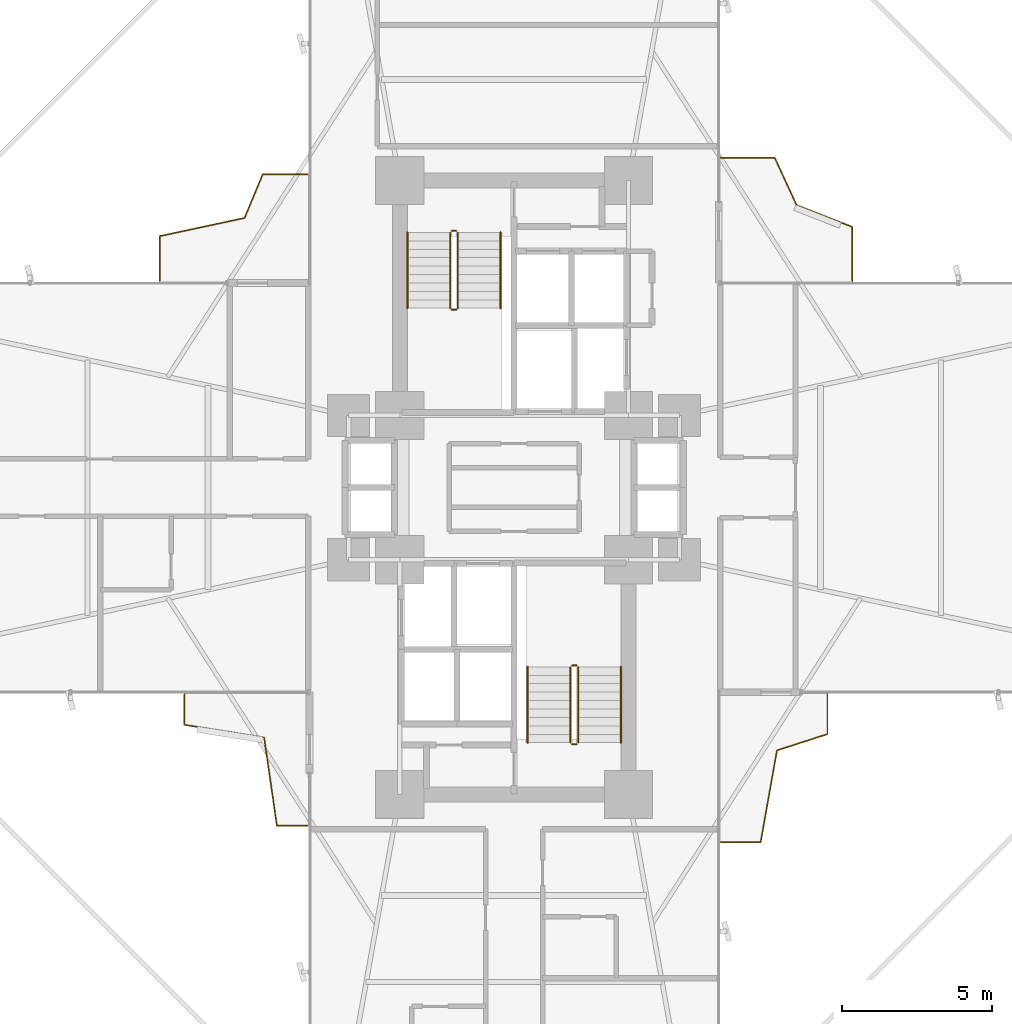
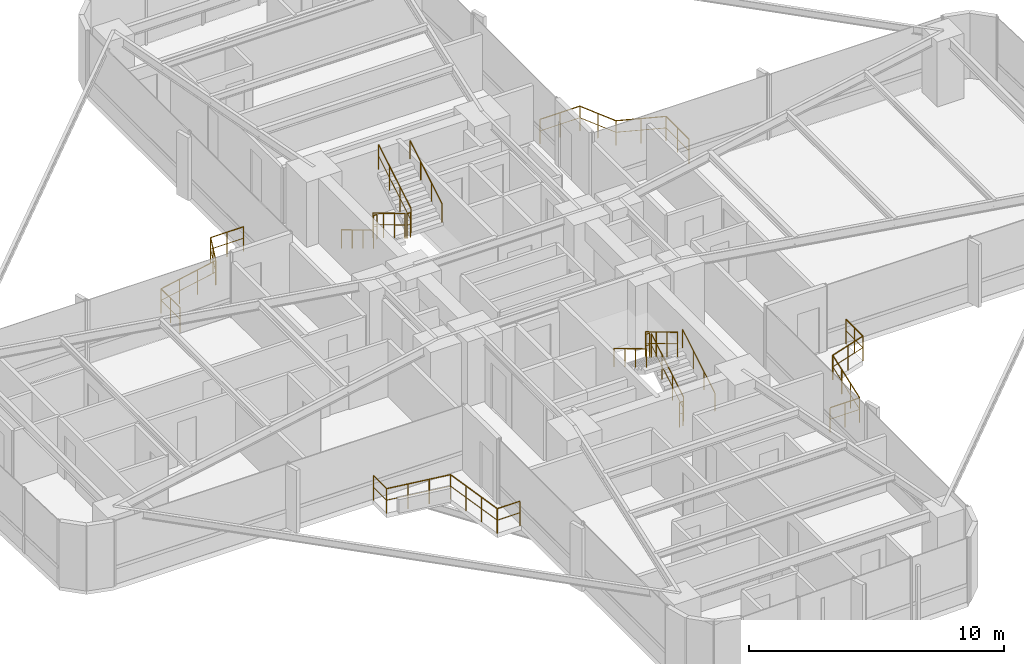
# One storey, part 25 of 25: 16 railings.
"""IFC4 building model written with IfcOpenShell, lengths in metres."""

from ifc_helpers import new_model, si_unit, direction, frame, origin, origin_2d, place, context, subcontext, project, spatial, circle, extrude, material, type_object, element, save


model = new_model("IFC4")

# Units and contexts
model_context = context("Model", 3, precision=1e-05, world=origin(), true_north=direction((0.0, 1.0)))
body_context = subcontext(model_context, "Body", "Model", "MODEL_VIEW")
ifc_project = project(units=[si_unit("LENGTHUNIT", "METRE"), si_unit("AREAUNIT", "SQUARE_METRE"), si_unit("VOLUMEUNIT", "CUBIC_METRE"), si_unit("PLANEANGLEUNIT", "RADIAN"), si_unit("MASSUNIT", "GRAM", prefix="KILO")], contexts=[model_context])

# Site, building, storey
site_placement = place(None, origin())
site = spatial("IfcSite", under=ifc_project, at=site_placement, CompositionType="ELEMENT")
building_placement = place(site_placement, origin())
building = spatial("IfcBuilding", under=site, at=building_placement, Name="Sahyath Konkavel Grand Hotel", CompositionType="ELEMENT")
storey_placement = place(building_placement, frame((0.0, 0.0, 67.800048828125)))
storey = spatial("IfcBuildingStorey", under=building, at=storey_placement, Name="L18", CompositionType="ELEMENT", Elevation=67.800048828125)

# Railings
ifc_material_1 = material(Name="Anodised Bronze Aluminium", Category="aluminium")
railing_type_1 = type_object("IfcRailingType", Name="RLG-BALC-1200", PredefinedType="GUARDRAIL", material=ifc_material_1)
railing_1_placement = place(storey_placement, frame((11.241943359375, 6.860107421875, 0.0)))
element("IfcRailing", 1, at=railing_1_placement, inside=storey, type_object=railing_type_1, Name="L18 Winter-Garden Guard NE", PredefinedType="GUARDRAIL", context=body_context, shape_type="SweptSolid", body=[
    extrude(circle(Radius=0.02392578125, at=origin_2d()), frame((0.0, 0.001953125, 1.17578125), z_axis=(0.0, 1.0, 0.0), x_axis=(-1.0, 0.0, 0.0)), (0.0, 0.0, 1.0), 1.800048828125),
    extrude(circle(Radius=0.01416015625, at=origin_2d()), frame((0.0, 0.001953125, 0.6240234375), z_axis=(0.0, 1.0, 0.0), x_axis=(-1.0, 0.0, 0.0)), (0.0, 0.0, 1.0), 1.800048828125),
    extrude(circle(Radius=0.02392578125, at=origin_2d()), frame((-0.001953125, 1.8046875, 1.17578125), z_axis=(-0.931284410784, 0.364292940134, 0.0), x_axis=(-0.364292940134, -0.931284410784, 0.0)), (0.0, 0.0, 1.0), 1.98583984375),
    extrude(circle(Radius=0.01416015625, at=origin_2d()), frame((-0.001953125, 1.8046875, 0.6240234375), z_axis=(-0.931284410784, 0.364292940134, 0.0), x_axis=(-0.364292940134, -0.931284410784, 0.0)), (0.0, 0.0, 1.0), 1.98583984375),
    extrude(circle(Radius=0.02392578125, at=origin_2d()), frame((-1.853759765625, 2.530517578125, 1.17578125), z_axis=(-0.419371658884, 0.907814635113, 0.0), x_axis=(-0.907814635113, -0.419371658884, 0.0)), (0.0, 0.0, 1.0), 1.724365234375),
    extrude(circle(Radius=0.01416015625, at=origin_2d()), frame((-1.853759765625, 2.530517578125, 0.6240234375), z_axis=(-0.419371658884, 0.907814635113, 0.0), x_axis=(-0.907814635113, -0.419371658884, 0.0)), (0.0, 0.0, 1.0), 1.724365234375),
    extrude(circle(Radius=0.02392578125, at=origin_2d()), frame((-2.579833984375, 4.097900390625, 1.17578125), z_axis=(-1.0, 0.0, 0.0), x_axis=(0.0, -1.0, 0.0)), (0.0, 0.0, 1.0), 1.800048828125),
    extrude(circle(Radius=0.01416015625, at=origin_2d()), frame((-2.579833984375, 4.097900390625, 0.6240234375), z_axis=(-1.0, 0.0, 0.0), x_axis=(0.0, -1.0, 0.0)), (0.0, 0.0, 1.0), 1.800048828125),
    extrude(circle(Radius=0.02099609375, at=origin_2d()), origin(), (0.0, 0.0, 1.0), 1.15185546875),
    extrude(circle(Radius=0.02099609375, at=origin_2d()), frame((0.0, 0.90185546875, 0.0)), (0.0, 0.0, 1.0), 1.15185546875),
    extrude(circle(Radius=0.02099609375, at=origin_2d()), frame((0.0, 1.803955078125, 0.0)), (0.0, 0.0, 1.0), 1.15185546875),
    extrude(circle(Radius=0.02099609375, at=origin_2d()), frame((-0.926513671875, 2.16650390625, 0.0)), (0.0, 0.0, 1.0), 1.15185546875),
    extrude(circle(Radius=0.02099609375, at=origin_2d()), frame((-1.85302734375, 2.52880859375, 0.0)), (0.0, 0.0, 1.0), 1.15185546875),
    extrude(circle(Radius=0.02099609375, at=origin_2d()), frame((-2.21533203125, 3.3134765625, 0.0)), (0.0, 0.0, 1.0), 1.15185546875),
    extrude(circle(Radius=0.02099609375, at=origin_2d()), frame((-2.577880859375, 4.097900390625, 0.0)), (0.0, 0.0, 1.0), 1.15185546875),
    extrude(circle(Radius=0.02099609375, at=origin_2d()), frame((-3.47998046875, 4.097900390625, 0.0)), (0.0, 0.0, 1.0), 1.15185546875),
    extrude(circle(Radius=0.02099609375, at=origin_2d()), frame((-4.3818359375, 4.097900390625, 0.0)), (0.0, 0.0, 1.0), 1.15185546875),
])
railing_2_placement = place(storey_placement, frame((-6.860107421875, 10.4150390625, 0.0)))
element("IfcRailing", 2, at=railing_2_placement, inside=storey, type_object=railing_type_1, Name="L18 Winter-Garden Guard NW", PredefinedType="GUARDRAIL", context=body_context, shape_type="SweptSolid", body=[
    extrude(circle(Radius=0.02392578125, at=origin_2d()), frame((-0.001953125, 0.0, 1.17578125), z_axis=(-1.0, 0.0, 0.0), x_axis=(0.0, -1.0, 0.0)), (0.0, 0.0, 1.0), 1.49267578125),
    extrude(circle(Radius=0.01416015625, at=origin_2d()), frame((-0.001953125, 0.0, 0.6240234375), z_axis=(-1.0, 0.0, 0.0), x_axis=(0.0, -1.0, 0.0)), (0.0, 0.0, 1.0), 1.49267578125),
    extrude(circle(Radius=0.02392578125, at=origin_2d()), frame((-1.497314453125, -0.001953125, 1.17578125), z_axis=(-0.384483227785, -0.923131977321, 0.0), x_axis=(0.923131977321, -0.384483227785, 0.0)), (0.0, 0.0, 1.0), 1.570068359375),
    extrude(circle(Radius=0.01416015625, at=origin_2d()), frame((-1.497314453125, -0.001953125, 0.6240234375), z_axis=(-0.384483227785, -0.923131977321, 0.0), x_axis=(0.923131977321, -0.384483227785, 0.0)), (0.0, 0.0, 1.0), 1.570068359375),
    extrude(circle(Radius=0.02392578125, at=origin_2d()), frame((-2.103759765625, -1.45361328125, 1.17578125), z_axis=(-0.977781371968, -0.209627261187, 0.0), x_axis=(0.209627261187, -0.977781371968, 0.0)), (0.0, 0.0, 1.0), 2.883056640625),
    extrude(circle(Radius=0.01416015625, at=origin_2d()), frame((-2.103759765625, -1.45361328125, 0.6240234375), z_axis=(-0.977781371968, -0.209627261187, 0.0), x_axis=(0.209627261187, -0.977781371968, 0.0)), (0.0, 0.0, 1.0), 2.883056640625),
    extrude(circle(Radius=0.02392578125, at=origin_2d()), frame((-4.9248046875, -2.060302734375, 1.17578125), z_axis=(0.0, -1.0, 0.0), x_axis=(1.0, 0.0, 0.0)), (0.0, 0.0, 1.0), 1.49267578125),
    extrude(circle(Radius=0.01416015625, at=origin_2d()), frame((-4.9248046875, -2.060302734375, 0.6240234375), z_axis=(0.0, -1.0, 0.0), x_axis=(1.0, 0.0, 0.0)), (0.0, 0.0, 1.0), 1.49267578125),
    extrude(circle(Radius=0.02099609375, at=origin_2d()), origin(), (0.0, 0.0, 1.0), 1.15185546875),
    extrude(circle(Radius=0.02099609375, at=origin_2d()), frame((-0.748291015625, 0.0, 0.0)), (0.0, 0.0, 1.0), 1.15185546875),
    extrude(circle(Radius=0.02099609375, at=origin_2d()), frame((-1.49658203125, 0.0, 0.0)), (0.0, 0.0, 1.0), 1.15185546875),
    extrude(circle(Radius=0.02099609375, at=origin_2d()), frame((-1.79931640625, -0.7265625, 0.0)), (0.0, 0.0, 1.0), 1.15185546875),
    extrude(circle(Radius=0.02099609375, at=origin_2d()), frame((-2.101806640625, -1.453125, 0.0)), (0.0, 0.0, 1.0), 1.15185546875),
    extrude(circle(Radius=0.02099609375, at=origin_2d()), frame((-3.042724609375, -1.65478515625, 0.0)), (0.0, 0.0, 1.0), 1.15185546875),
    extrude(circle(Radius=0.02099609375, at=origin_2d()), frame((-3.98388671875, -1.856689453125, 0.0)), (0.0, 0.0, 1.0), 1.15185546875),
    extrude(circle(Radius=0.02099609375, at=origin_2d()), frame((-4.9248046875, -2.058349609375, 0.0)), (0.0, 0.0, 1.0), 1.15185546875),
    extrude(circle(Radius=0.02099609375, at=origin_2d()), frame((-4.9248046875, -2.806640625, 0.0)), (0.0, 0.0, 1.0), 1.15185546875),
    extrude(circle(Radius=0.02099609375, at=origin_2d()), frame((-4.9248046875, -3.554931640625, 0.0)), (0.0, 0.0, 1.0), 1.15185546875),
])
railing_3_placement = place(storey_placement, frame((-10.9580078125, -6.860107421875, 0.0)))
element("IfcRailing", 3, at=railing_3_placement, inside=storey, type_object=railing_type_1, Name="L18 Winter-Garden Guard SW", PredefinedType="GUARDRAIL", context=body_context, shape_type="SweptSolid", body=[
    extrude(circle(Radius=0.02392578125, at=origin_2d()), frame((0.0, -0.001953125, 1.17578125), z_axis=(0.0, -1.0, 0.0), x_axis=(1.0, 0.0, 0.0)), (0.0, 0.0, 1.0), 1.02392578125),
    extrude(circle(Radius=0.01416015625, at=origin_2d()), frame((0.0, -0.001953125, 0.6240234375), z_axis=(0.0, -1.0, 0.0), x_axis=(1.0, 0.0, 0.0)), (0.0, 0.0, 1.0), 1.02392578125),
    extrude(circle(Radius=0.02392578125, at=origin_2d()), frame((0.001953125, -1.028076171875, 1.17578125), z_axis=(0.987465059065, -0.157837755706, 0.0), x_axis=(0.157837755706, 0.987465059065, 0.0)), (0.0, 0.0, 1.0), 2.676513671875),
    extrude(circle(Radius=0.01416015625, at=origin_2d()), frame((0.001953125, -1.028076171875, 0.6240234375), z_axis=(0.987465059065, -0.157837755706, 0.0), x_axis=(0.157837755706, 0.987465059065, 0.0)), (0.0, 0.0, 1.0), 2.676513671875),
    extrude(circle(Radius=0.02392578125, at=origin_2d()), frame((2.647216796875, -1.452880859375, 1.17578125), z_axis=(0.142875516446, -0.989740666438, 0.0), x_axis=(0.989740666438, 0.142875516446, 0.0)), (0.0, 0.0, 1.0), 2.957275390625),
    extrude(circle(Radius=0.01416015625, at=origin_2d()), frame((2.647216796875, -1.452880859375, 0.6240234375), z_axis=(0.142875516446, -0.989740666438, 0.0), x_axis=(0.989740666438, 0.142875516446, 0.0)), (0.0, 0.0, 1.0), 2.957275390625),
    extrude(circle(Radius=0.02392578125, at=origin_2d()), frame((3.072021484375, -4.3818359375, 1.17578125), z_axis=(1.0, 0.0, 0.0), x_axis=(0.0, 1.0, 0.0)), (0.0, 0.0, 1.0), 1.02392578125),
    extrude(circle(Radius=0.01416015625, at=origin_2d()), frame((3.072021484375, -4.3818359375, 0.6240234375), z_axis=(1.0, 0.0, 0.0), x_axis=(0.0, 1.0, 0.0)), (0.0, 0.0, 1.0), 1.02392578125),
    extrude(circle(Radius=0.02099609375, at=origin_2d()), origin(), (0.0, 0.0, 1.0), 1.15185546875),
    extrude(circle(Radius=0.02099609375, at=origin_2d()), frame((0.0, -1.02783203125, 0.0)), (0.0, 0.0, 1.0), 1.15185546875),
    extrude(circle(Radius=0.02099609375, at=origin_2d()), frame((0.88232421875, -1.1689453125, 0.0)), (0.0, 0.0, 1.0), 1.15185546875),
    extrude(circle(Radius=0.02099609375, at=origin_2d()), frame((1.7646484375, -1.309814453125, 0.0)), (0.0, 0.0, 1.0), 1.15185546875),
    extrude(circle(Radius=0.02099609375, at=origin_2d()), frame((2.64697265625, -1.450927734375, 0.0)), (0.0, 0.0, 1.0), 1.15185546875),
    extrude(circle(Radius=0.02099609375, at=origin_2d()), frame((2.7880859375, -2.427978515625, 0.0)), (0.0, 0.0, 1.0), 1.15185546875),
    extrude(circle(Radius=0.02099609375, at=origin_2d()), frame((2.928955078125, -3.40478515625, 0.0)), (0.0, 0.0, 1.0), 1.15185546875),
    extrude(circle(Radius=0.02099609375, at=origin_2d()), frame((3.070068359375, -4.3818359375, 0.0)), (0.0, 0.0, 1.0), 1.15185546875),
    extrude(circle(Radius=0.02099609375, at=origin_2d()), frame((4.097900390625, -4.3818359375, 0.0)), (0.0, 0.0, 1.0), 1.15185546875),
])
railing_4_placement = place(storey_placement, frame((6.860107421875, -11.784912109375, 0.0)))
element("IfcRailing", 4, at=railing_4_placement, inside=storey, type_object=railing_type_1, Name="L18 Winter-Garden Guard SE", PredefinedType="GUARDRAIL", context=body_context, shape_type="SweptSolid", body=[
    extrude(circle(Radius=0.02392578125, at=origin_2d()), frame((0.001953125, 0.0, 1.17578125), z_axis=(1.0, 0.0, 0.0), x_axis=(0.0, 1.0, 0.0)), (0.0, 0.0, 1.0), 1.331298828125),
    extrude(circle(Radius=0.01416015625, at=origin_2d()), frame((0.001953125, 0.0, 0.6240234375), z_axis=(1.0, 0.0, 0.0), x_axis=(0.0, 1.0, 0.0)), (0.0, 0.0, 1.0), 1.331298828125),
    extrude(circle(Radius=0.02392578125, at=origin_2d()), frame((1.33544921875, 0.001953125, 1.17578125), z_axis=(0.175364693427, 0.984503542045, 0.0), x_axis=(-0.984503542045, 0.175364693427, 0.0)), (0.0, 0.0, 1.0), 3.0908203125),
    extrude(circle(Radius=0.01416015625, at=origin_2d()), frame((1.33544921875, 0.001953125, 0.6240234375), z_axis=(0.175364693427, 0.984503542045, 0.0), x_axis=(-0.984503542045, 0.175364693427, 0.0)), (0.0, 0.0, 1.0), 3.0908203125),
    extrude(circle(Radius=0.02392578125, at=origin_2d()), frame((1.8798828125, 3.047607421875, 1.17578125), z_axis=(0.951417073324, 0.307905103217, 0.0), x_axis=(-0.307905103217, 0.951417073324, 0.0)), (0.0, 0.0, 1.0), 1.758544921875),
    extrude(circle(Radius=0.01416015625, at=origin_2d()), frame((1.8798828125, 3.047607421875, 0.6240234375), z_axis=(0.951417073324, 0.307905103217, 0.0), x_axis=(-0.307905103217, 0.951417073324, 0.0)), (0.0, 0.0, 1.0), 1.758544921875),
    extrude(circle(Radius=0.02392578125, at=origin_2d()), frame((3.554931640625, 3.591552734375, 1.17578125), z_axis=(0.0, 1.0, 0.0), x_axis=(-1.0, 0.0, 0.0)), (0.0, 0.0, 1.0), 1.331298828125),
    extrude(circle(Radius=0.01416015625, at=origin_2d()), frame((3.554931640625, 3.591552734375, 0.6240234375), z_axis=(0.0, 1.0, 0.0), x_axis=(-1.0, 0.0, 0.0)), (0.0, 0.0, 1.0), 1.331298828125),
    extrude(circle(Radius=0.02099609375, at=origin_2d()), origin(), (0.0, 0.0, 1.0), 1.15185546875),
    extrude(circle(Radius=0.02099609375, at=origin_2d()), frame((0.66748046875, 0.0, 0.0)), (0.0, 0.0, 1.0), 1.15185546875),
    extrude(circle(Radius=0.02099609375, at=origin_2d()), frame((1.335205078125, 0.0, 0.0)), (0.0, 0.0, 1.0), 1.15185546875),
    extrude(circle(Radius=0.02099609375, at=origin_2d()), frame((1.51611328125, 1.015625, 0.0)), (0.0, 0.0, 1.0), 1.15185546875),
    extrude(circle(Radius=0.02099609375, at=origin_2d()), frame((1.697021484375, 2.03125, 0.0)), (0.0, 0.0, 1.0), 1.15185546875),
    extrude(circle(Radius=0.02099609375, at=origin_2d()), frame((1.8779296875, 3.046875, 0.0)), (0.0, 0.0, 1.0), 1.15185546875),
    extrude(circle(Radius=0.02099609375, at=origin_2d()), frame((2.71630859375, 3.318359375, 0.0)), (0.0, 0.0, 1.0), 1.15185546875),
    extrude(circle(Radius=0.02099609375, at=origin_2d()), frame((3.554931640625, 3.589599609375, 0.0)), (0.0, 0.0, 1.0), 1.15185546875),
    extrude(circle(Radius=0.02099609375, at=origin_2d()), frame((3.554931640625, 4.25732421875, 0.0)), (0.0, 0.0, 1.0), 1.15185546875),
    extrude(circle(Radius=0.02099609375, at=origin_2d()), frame((3.554931640625, 4.9248046875, 0.0)), (0.0, 0.0, 1.0), 1.15185546875),
])
ifc_material_2 = material(Name="Steel E350", Category="steel")
railing_type_2 = type_object("IfcRailingType", Name="RLG-STAIR-GRD", PredefinedType="GUARDRAIL", material=ifc_material_2)
railing_5_placement = place(storey_placement, frame((-2.1298828125, 8.47998046875, 0.16748046875)))
element("IfcRailing", 5, at=railing_5_placement, inside=storey, type_object=railing_type_2, Name="L18 ST-1 stair guard 1", PredefinedType="GUARDRAIL", context=body_context, shape_type="SweptSolid", body=[
    extrude(circle(Radius=0.02392578125, at=origin_2d()), frame((0.0, -0.001708984375, 1.177001953125), z_axis=(0.0, -0.858159760407, 0.513382728203), x_axis=(1.0, 0.0, 0.0)), (0.0, 0.0, 1.0), 2.9326171875),
    extrude(circle(Radius=0.01416015625, at=origin_2d()), frame((0.0, -0.001708984375, 0.625), z_axis=(0.0, -0.858159760407, 0.513382728203), x_axis=(1.0, 0.0, 0.0)), (0.0, 0.0, 1.0), 2.9326171875),
    extrude(circle(Radius=0.02099609375, at=origin_2d()), origin(), (0.0, 0.0, 1.0), 1.15185546875),
    extrude(circle(Radius=0.02099609375, at=origin_2d()), frame((0.0, -0.840087890625, 0.50244140625)), (0.0, 0.0, 1.0), 1.15185546875),
    extrude(circle(Radius=0.02099609375, at=origin_2d()), frame((0.0, -1.679931640625, 1.005126953125)), (0.0, 0.0, 1.0), 1.15185546875),
    extrude(circle(Radius=0.02099609375, at=origin_2d()), frame((0.0, -2.52001953125, 1.507568359375)), (0.0, 0.0, 1.0), 1.15185546875),
])
railing_6_placement = place(storey_placement, frame((-2.080078125, 5.909912109375, 1.675048828125)))
element("IfcRailing", 6, at=railing_6_placement, inside=storey, type_object=railing_type_2, Name="L18 ST-1 stair guard 2", PredefinedType="GUARDRAIL", context=body_context, shape_type="SweptSolid", body=[
    extrude(circle(Radius=0.02392578125, at=origin_2d()), frame((0.001953125, 0.0, 1.17578125), z_axis=(1.0, 0.0, 0.0), x_axis=(0.0, 1.0, 0.0)), (0.0, 0.0, 1.0), 0.15625),
    extrude(circle(Radius=0.01416015625, at=origin_2d()), frame((0.001953125, 0.0, 0.6240234375), z_axis=(1.0, 0.0, 0.0), x_axis=(0.0, 1.0, 0.0)), (0.0, 0.0, 1.0), 0.15625),
    extrude(circle(Radius=0.02099609375, at=origin_2d()), origin(), (0.0, 0.0, 1.0), 1.15185546875),
    extrude(circle(Radius=0.02099609375, at=origin_2d()), frame((0.16015625, 0.0, 0.0)), (0.0, 0.0, 1.0), 1.15185546875),
])
railing_7_placement = place(storey_placement, frame((-1.8701171875, 5.9599609375, 1.842529296875)))
element("IfcRailing", 7, at=railing_7_placement, inside=storey, type_object=railing_type_2, Name="L18 ST-1 stair guard 3", PredefinedType="GUARDRAIL", context=body_context, shape_type="SweptSolid", body=[
    extrude(circle(Radius=0.02392578125, at=origin_2d()), frame((0.0, 0.001708984375, 1.177001953125), z_axis=(0.0, 0.858196387827, 0.513321497621), x_axis=(-1.0, 0.0, 0.0)), (0.0, 0.0, 1.0), 2.932373046875),
    extrude(circle(Radius=0.01416015625, at=origin_2d()), frame((0.0, 0.001708984375, 0.625), z_axis=(0.0, 0.858196387827, 0.513321497621), x_axis=(-1.0, 0.0, 0.0)), (0.0, 0.0, 1.0), 2.932373046875),
    extrude(circle(Radius=0.02099609375, at=origin_2d()), origin(), (0.0, 0.0, 1.0), 1.15185546875),
    extrude(circle(Radius=0.02099609375, at=origin_2d()), frame((0.0, 0.840087890625, 0.50244140625)), (0.0, 0.0, 1.0), 1.15185546875),
    extrude(circle(Radius=0.02099609375, at=origin_2d()), frame((0.0, 1.679931640625, 1.0048828125)), (0.0, 0.0, 1.0), 1.15185546875),
    extrude(circle(Radius=0.02099609375, at=origin_2d()), frame((0.0, 2.52001953125, 1.50732421875)), (0.0, 0.0, 1.0), 1.15185546875),
])
railing_8_placement = place(storey_placement, frame((-2.080078125, 8.530029296875, 0.0)))
element("IfcRailing", 8, at=railing_8_placement, inside=storey, type_object=railing_type_2, Name="L18 ST-1 stair guard 4", PredefinedType="GUARDRAIL", context=body_context, shape_type="SweptSolid", body=[
    extrude(circle(Radius=0.02392578125, at=origin_2d()), frame((0.001953125, 0.0, 1.17578125), z_axis=(1.0, 0.0, 0.0), x_axis=(0.0, 1.0, 0.0)), (0.0, 0.0, 1.0), 0.15625),
    extrude(circle(Radius=0.01416015625, at=origin_2d()), frame((0.001953125, 0.0, 0.6240234375), z_axis=(1.0, 0.0, 0.0), x_axis=(0.0, 1.0, 0.0)), (0.0, 0.0, 1.0), 0.15625),
    extrude(circle(Radius=0.02099609375, at=origin_2d()), origin(), (0.0, 0.0, 1.0), 1.15185546875),
    extrude(circle(Radius=0.02099609375, at=origin_2d()), frame((0.16015625, 0.0, 0.0)), (0.0, 0.0, 1.0), 1.15185546875),
])
railing_9_placement = place(storey_placement, frame((2.1298828125, -8.47998046875, 0.16748046875)))
element("IfcRailing", 9, at=railing_9_placement, inside=storey, type_object=railing_type_2, Name="L18 ST-2 stair guard 1", PredefinedType="GUARDRAIL", context=body_context, shape_type="SweptSolid", body=[
    extrude(circle(Radius=0.02392578125, at=origin_2d()), frame((0.0, 0.001708984375, 1.177001953125), z_axis=(0.0, 0.858159760407, 0.513382728203), x_axis=(-1.0, 0.0, 0.0)), (0.0, 0.0, 1.0), 2.9326171875),
    extrude(circle(Radius=0.01416015625, at=origin_2d()), frame((0.0, 0.001708984375, 0.625), z_axis=(0.0, 0.858159760407, 0.513382728203), x_axis=(-1.0, 0.0, 0.0)), (0.0, 0.0, 1.0), 2.9326171875),
    extrude(circle(Radius=0.02099609375, at=origin_2d()), origin(), (0.0, 0.0, 1.0), 1.15185546875),
    extrude(circle(Radius=0.02099609375, at=origin_2d()), frame((0.0, 0.840087890625, 0.50244140625)), (0.0, 0.0, 1.0), 1.15185546875),
    extrude(circle(Radius=0.02099609375, at=origin_2d()), frame((0.0, 1.679931640625, 1.005126953125)), (0.0, 0.0, 1.0), 1.15185546875),
    extrude(circle(Radius=0.02099609375, at=origin_2d()), frame((0.0, 2.52001953125, 1.507568359375)), (0.0, 0.0, 1.0), 1.15185546875),
])
railing_10_placement = place(storey_placement, frame((2.080078125, -5.909912109375, 1.675048828125)))
element("IfcRailing", 10, at=railing_10_placement, inside=storey, type_object=railing_type_2, Name="L18 ST-2 stair guard 2", PredefinedType="GUARDRAIL", context=body_context, shape_type="SweptSolid", body=[
    extrude(circle(Radius=0.02392578125, at=origin_2d()), frame((-0.001953125, 0.0, 1.17578125), z_axis=(-1.0, 0.0, 0.0), x_axis=(0.0, -1.0, 0.0)), (0.0, 0.0, 1.0), 0.15625),
    extrude(circle(Radius=0.01416015625, at=origin_2d()), frame((-0.001953125, 0.0, 0.6240234375), z_axis=(-1.0, 0.0, 0.0), x_axis=(0.0, -1.0, 0.0)), (0.0, 0.0, 1.0), 0.15625),
    extrude(circle(Radius=0.02099609375, at=origin_2d()), origin(), (0.0, 0.0, 1.0), 1.15185546875),
    extrude(circle(Radius=0.02099609375, at=origin_2d()), frame((-0.16015625, 0.0, 0.0)), (0.0, 0.0, 1.0), 1.15185546875),
])
railing_11_placement = place(storey_placement, frame((1.8701171875, -5.9599609375, 1.842529296875)))
element("IfcRailing", 11, at=railing_11_placement, inside=storey, type_object=railing_type_2, Name="L18 ST-2 stair guard 3", PredefinedType="GUARDRAIL", context=body_context, shape_type="SweptSolid", body=[
    extrude(circle(Radius=0.02392578125, at=origin_2d()), frame((0.0, -0.001708984375, 1.177001953125), z_axis=(0.0, -0.858196387827, 0.513321497621), x_axis=(1.0, 0.0, 0.0)), (0.0, 0.0, 1.0), 2.932373046875),
    extrude(circle(Radius=0.01416015625, at=origin_2d()), frame((0.0, -0.001708984375, 0.625), z_axis=(0.0, -0.858196387827, 0.513321497621), x_axis=(1.0, 0.0, 0.0)), (0.0, 0.0, 1.0), 2.932373046875),
    extrude(circle(Radius=0.02099609375, at=origin_2d()), origin(), (0.0, 0.0, 1.0), 1.15185546875),
    extrude(circle(Radius=0.02099609375, at=origin_2d()), frame((0.0, -0.840087890625, 0.50244140625)), (0.0, 0.0, 1.0), 1.15185546875),
    extrude(circle(Radius=0.02099609375, at=origin_2d()), frame((0.0, -1.679931640625, 1.0048828125)), (0.0, 0.0, 1.0), 1.15185546875),
    extrude(circle(Radius=0.02099609375, at=origin_2d()), frame((0.0, -2.52001953125, 1.50732421875)), (0.0, 0.0, 1.0), 1.15185546875),
])
railing_12_placement = place(storey_placement, frame((2.080078125, -8.530029296875, 0.0)))
element("IfcRailing", 12, at=railing_12_placement, inside=storey, type_object=railing_type_2, Name="L18 ST-2 stair guard 4", PredefinedType="GUARDRAIL", context=body_context, shape_type="SweptSolid", body=[
    extrude(circle(Radius=0.02392578125, at=origin_2d()), frame((-0.001953125, 0.0, 1.17578125), z_axis=(-1.0, 0.0, 0.0), x_axis=(0.0, -1.0, 0.0)), (0.0, 0.0, 1.0), 0.15625),
    extrude(circle(Radius=0.01416015625, at=origin_2d()), frame((-0.001953125, 0.0, 0.6240234375), z_axis=(-1.0, 0.0, 0.0), x_axis=(0.0, -1.0, 0.0)), (0.0, 0.0, 1.0), 0.15625),
    extrude(circle(Radius=0.02099609375, at=origin_2d()), origin(), (0.0, 0.0, 1.0), 1.15185546875),
    extrude(circle(Radius=0.02099609375, at=origin_2d()), frame((-0.16015625, 0.0, 0.0)), (0.0, 0.0, 1.0), 1.15185546875),
])
railing_type_3 = type_object("IfcRailingType", Name="RLG-STAIR-HND", PredefinedType="HANDRAIL", material=ifc_material_1)
railing_13_placement = place(storey_placement, frame((-3.550048828125, 8.47998046875, 0.16748046875)))
element("IfcRailing", 13, at=railing_13_placement, inside=storey, type_object=railing_type_3, Name="L18 ST-1 stair handrail 1", PredefinedType="HANDRAIL", context=body_context, shape_type="SweptSolid", body=[
    extrude(circle(Radius=0.02392578125, at=origin_2d()), frame((0.0, -0.001708984375, 0.876953125), z_axis=(0.0, -0.858159760407, 0.513382728203), x_axis=(1.0, 0.0, 0.0)), (0.0, 0.0, 1.0), 2.9326171875),
    extrude(circle(Radius=0.02099609375, at=origin_2d()), origin(), (0.0, 0.0, 1.0), 0.851806640625),
    extrude(circle(Radius=0.02099609375, at=origin_2d()), frame((0.0, -0.840087890625, 0.50244140625)), (0.0, 0.0, 1.0), 0.851806640625),
    extrude(circle(Radius=0.02099609375, at=origin_2d()), frame((0.0, -1.679931640625, 1.005126953125)), (0.0, 0.0, 1.0), 0.851806640625),
    extrude(circle(Radius=0.02099609375, at=origin_2d()), frame((0.0, -2.52001953125, 1.507568359375)), (0.0, 0.0, 1.0), 0.851806640625),
])
railing_14_placement = place(storey_placement, frame((-0.449951171875, 5.9599609375, 1.842529296875)))
element("IfcRailing", 14, at=railing_14_placement, inside=storey, type_object=railing_type_3, Name="L18 ST-1 stair handrail 2", PredefinedType="HANDRAIL", context=body_context, shape_type="SweptSolid", body=[
    extrude(circle(Radius=0.02392578125, at=origin_2d()), frame((0.0, 0.001708984375, 0.876953125), z_axis=(0.0, 0.858196387827, 0.513321497621), x_axis=(-1.0, 0.0, 0.0)), (0.0, 0.0, 1.0), 2.932373046875),
    extrude(circle(Radius=0.02099609375, at=origin_2d()), origin(), (0.0, 0.0, 1.0), 0.851806640625),
    extrude(circle(Radius=0.02099609375, at=origin_2d()), frame((0.0, 0.840087890625, 0.50244140625)), (0.0, 0.0, 1.0), 0.851806640625),
    extrude(circle(Radius=0.02099609375, at=origin_2d()), frame((0.0, 1.679931640625, 1.0048828125)), (0.0, 0.0, 1.0), 0.851806640625),
    extrude(circle(Radius=0.02099609375, at=origin_2d()), frame((0.0, 2.52001953125, 1.50732421875)), (0.0, 0.0, 1.0), 0.851806640625),
])
railing_15_placement = place(storey_placement, frame((3.550048828125, -8.47998046875, 0.16748046875)))
element("IfcRailing", 15, at=railing_15_placement, inside=storey, type_object=railing_type_3, Name="L18 ST-2 stair handrail 1", PredefinedType="HANDRAIL", context=body_context, shape_type="SweptSolid", body=[
    extrude(circle(Radius=0.02392578125, at=origin_2d()), frame((0.0, 0.001708984375, 0.876953125), z_axis=(0.0, 0.858159760407, 0.513382728203), x_axis=(-1.0, 0.0, 0.0)), (0.0, 0.0, 1.0), 2.9326171875),
    extrude(circle(Radius=0.02099609375, at=origin_2d()), origin(), (0.0, 0.0, 1.0), 0.851806640625),
    extrude(circle(Radius=0.02099609375, at=origin_2d()), frame((0.0, 0.840087890625, 0.50244140625)), (0.0, 0.0, 1.0), 0.851806640625),
    extrude(circle(Radius=0.02099609375, at=origin_2d()), frame((0.0, 1.679931640625, 1.005126953125)), (0.0, 0.0, 1.0), 0.851806640625),
    extrude(circle(Radius=0.02099609375, at=origin_2d()), frame((0.0, 2.52001953125, 1.507568359375)), (0.0, 0.0, 1.0), 0.851806640625),
])
railing_16_placement = place(storey_placement, frame((0.449951171875, -5.9599609375, 1.842529296875)))
element("IfcRailing", 16, at=railing_16_placement, inside=storey, type_object=railing_type_3, Name="L18 ST-2 stair handrail 2", PredefinedType="HANDRAIL", context=body_context, shape_type="SweptSolid", body=[
    extrude(circle(Radius=0.02392578125, at=origin_2d()), frame((0.0, -0.001708984375, 0.876953125), z_axis=(0.0, -0.858196387827, 0.513321497621), x_axis=(1.0, 0.0, 0.0)), (0.0, 0.0, 1.0), 2.932373046875),
    extrude(circle(Radius=0.02099609375, at=origin_2d()), origin(), (0.0, 0.0, 1.0), 0.851806640625),
    extrude(circle(Radius=0.02099609375, at=origin_2d()), frame((0.0, -0.840087890625, 0.50244140625)), (0.0, 0.0, 1.0), 0.851806640625),
    extrude(circle(Radius=0.02099609375, at=origin_2d()), frame((0.0, -1.679931640625, 1.0048828125)), (0.0, 0.0, 1.0), 0.851806640625),
    extrude(circle(Radius=0.02099609375, at=origin_2d()), frame((0.0, -2.52001953125, 1.50732421875)), (0.0, 0.0, 1.0), 0.851806640625),
])

save(model, "model.ifc")
